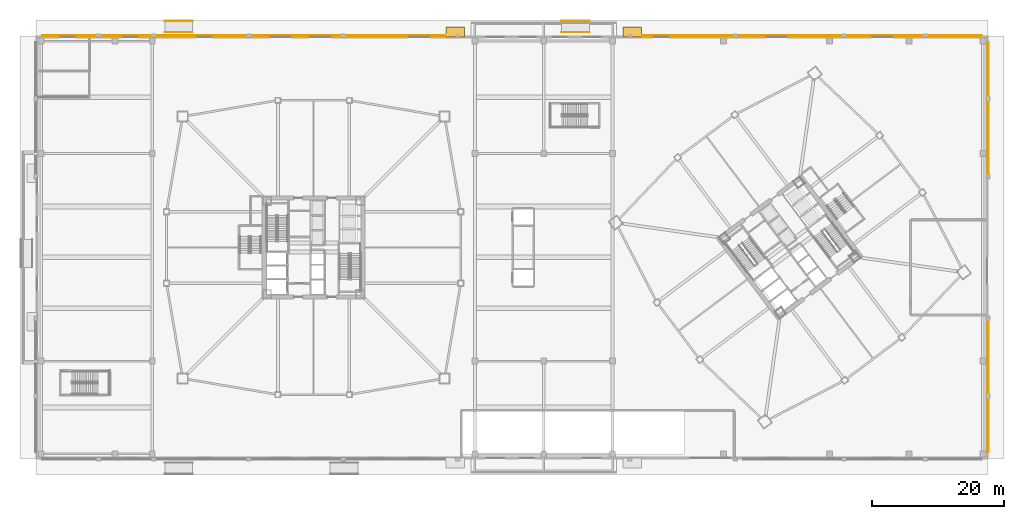
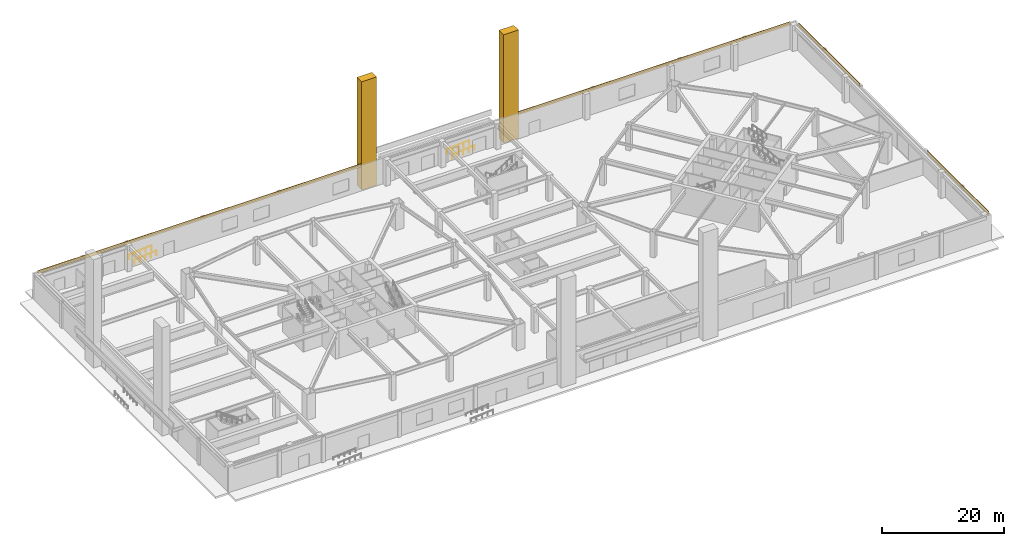
# One storey, part 25 of 26: 6 coverings, 4 railings.
"""IFC4 building model written with IfcOpenShell, lengths in metres."""

from ifc_helpers import new_model, si_unit, direction, frame, origin, origin_2d, place, context, subcontext, project, spatial, rectangle, extrude, material, layer, layer_set, type_object, element, save


model = new_model("IFC4")

# Units and contexts
model_context = context("Model", 3, precision=1e-05, world=origin(), true_north=direction((0.0, 1.0)))
body_context = subcontext(model_context, "Body", "Model", "MODEL_VIEW")
ifc_project = project(units=[si_unit("LENGTHUNIT", "METRE"), si_unit("AREAUNIT", "SQUARE_METRE"), si_unit("VOLUMEUNIT", "CUBIC_METRE"), si_unit("PLANEANGLEUNIT", "RADIAN"), si_unit("MASSUNIT", "GRAM", prefix="KILO")], contexts=[model_context])

# Site, building, storey
site_placement = place(None, origin())
site = spatial("IfcSite", under=ifc_project, at=site_placement, CompositionType="ELEMENT")
building_placement = place(site_placement, origin())
building = spatial("IfcBuilding", under=site, at=building_placement, Name="Tashvorn Skyway Center", CompositionType="ELEMENT")
storey_placement = place(building_placement, origin())
storey = spatial("IfcBuildingStorey", under=building, at=storey_placement, Name="L00", CompositionType="ELEMENT", Elevation=0.0)

# Coverings
ifc_material_1 = material(Name="Precast concrete C40/50", Category="concrete")
ifc_layer = layer(ifc_material_1, 0.35009765625)
ifc_layer_set = layer_set([ifc_layer], Name="Precast concrete C40/50")
covering_type = type_object("IfcCoveringType", Name="COV-STONE-TRIM", PredefinedType="CLADDING", material=ifc_layer_set)
covering_1_placement = place(storey_placement, frame((32.0, 64.0400390625, 4.52001953125), z_axis=(0.0, 0.0, 1.0), x_axis=(1.0, 0.0, 0.0)))
element("IfcCovering", 1, at=covering_1_placement, inside=storey, type_object=covering_type, Name="L00 Mojave Limestone Entablature Band N1", PredefinedType="CLADDING", context=body_context, shape_type="SweptSolid", body=[
    extrude(rectangle(XDim=62.0, YDim=0.139892578125, at=origin_2d()), origin(), (0.0, 0.0, 1.0), 0.6201171875),
])
covering_2_placement = place(storey_placement, frame((117.0, 64.0400390625, 4.52001953125), z_axis=(0.0, 0.0, 1.0), x_axis=(1.0, 0.0, 0.0)))
element("IfcCovering", 2, at=covering_2_placement, inside=storey, type_object=covering_type, Name="L00 Mojave Limestone Entablature Band N2", PredefinedType="CLADDING", context=body_context, shape_type="SweptSolid", body=[
    extrude(rectangle(XDim=52.0, YDim=0.139892578125, at=origin_2d()), origin(), (0.0, 0.0, 1.0), 0.6201171875),
])
for number, where, z_axis, x_axis, name in (
    (3, (144.0400390625, 11.0, 4.52001953125), (0.0, 0.0, 1.0), (1.0, 0.0, 0.0), "L00 Mojave Limestone Entablature Band E1"),
    (4, (144.0400390625, 53.0, 4.52001953125), (0.0, 0.0, 1.0), (1.0, 0.0, 0.0), "L00 Mojave Limestone Entablature Band E2"),
):
    element("IfcCovering", number, at=place(storey_placement, frame(where, z_axis=z_axis, x_axis=x_axis)), inside=storey, type_object=covering_type, Name=name, PredefinedType="CLADDING", context=body_context, shape_type="SweptSolid", body=[
        extrude(rectangle(XDim=0.139892578125, YDim=20.0, at=origin_2d()), origin(), (0.0, 0.0, 1.0), 0.6201171875),
    ])
for number, where, z_axis, x_axis, name in (
    (5, (63.39990234375, 64.60009765625, 0.0), (0.0, 0.0, 1.0), (1.0, 0.0, 0.0), "Postmodern Station Portal Limestone Pylon NORTH 1"),
    (6, (90.199951171875, 64.60009765625, 0.0), (0.0, 0.0, 1.0), (1.0, 0.0, 0.0), "Postmodern Station Portal Limestone Pylon NORTH 2"),
):
    element("IfcCovering", number, at=place(storey_placement, frame(where, z_axis=z_axis, x_axis=x_axis)), inside=storey, type_object=covering_type, Name=name, PredefinedType="CLADDING", context=body_context, shape_type="SweptSolid", body=[
        extrude(rectangle(XDim=2.800048828125, YDim=1.550048828125, at=origin_2d()), origin(), (0.0, 0.0, 1.0), 21.60009765625),
    ])

# Railings
ifc_material_2 = material(Name="Brushed stainless steel 316", Category="steel")
railing_type = type_object("IfcRailingType", Name="RAIL-HAND-920", PredefinedType="HANDRAIL", material=ifc_material_2)
for number, where, name in (
    (7, (19.5, 64.550048828125, -0.35009765625), "Accessible Ramp N1 Handrail L"),
    (8, (19.5, 66.25, -0.35009765625), "Accessible Ramp N1 Handrail R"),
    (9, (79.5, 64.550048828125, -0.35009765625), "Accessible Ramp N2 Handrail L"),
    (10, (79.5, 66.25, -0.35009765625), "Accessible Ramp N2 Handrail R"),
):
    element("IfcRailing", number, at=place(storey_placement, frame(where)), inside=storey, type_object=railing_type, Name=name, PredefinedType="HANDRAIL", context=body_context, shape_type="SweptSolid", body=[
        extrude(rectangle(XDim=0.048095703125, YDim=0.048095703125, at=origin_2d()), frame((0.0, 0.0, 0.89599609375), z_axis=(0.996543760423, 0.0, 0.083069450238), x_axis=(0.0, 1.0, 0.0)), (0.0, 0.0, 1.0), 4.214599609375),
        extrude(rectangle(XDim=0.0419921875, YDim=0.0419921875, at=origin_2d()), origin(), (0.0, 0.0, 1.0), 0.871826171875),
        extrude(rectangle(XDim=0.0419921875, YDim=0.0419921875, at=origin_2d()), frame((1.050048828125, 0.0, 0.08740234375)), (0.0, 0.0, 1.0), 0.871826171875),
        extrude(rectangle(XDim=0.0419921875, YDim=0.0419921875, at=origin_2d()), frame((2.10009765625, 0.0, 0.175048828125)), (0.0, 0.0, 1.0), 0.871826171875),
        extrude(rectangle(XDim=0.0419921875, YDim=0.0419921875, at=origin_2d()), frame((3.14990234375, 0.0, 0.2626953125)), (0.0, 0.0, 1.0), 0.871826171875),
        extrude(rectangle(XDim=0.0419921875, YDim=0.0419921875, at=origin_2d()), frame((4.199951171875, 0.0, 0.35009765625)), (0.0, 0.0, 1.0), 0.871826171875),
    ])

save(model, "model.ifc")
